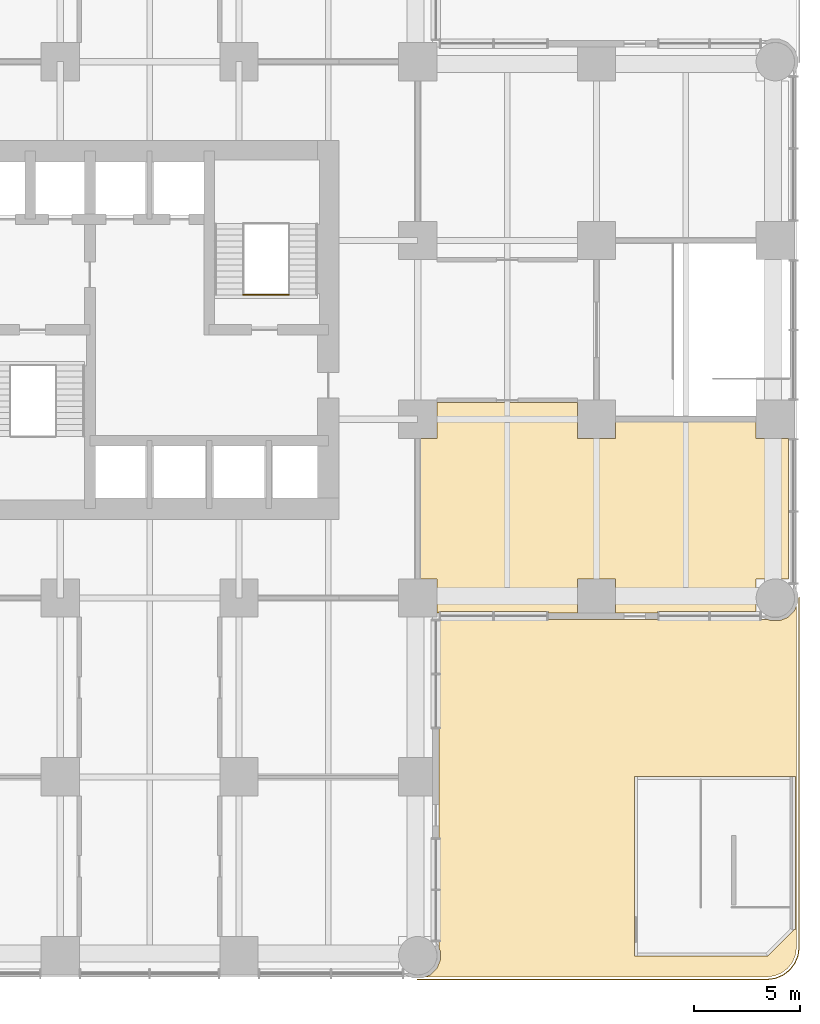
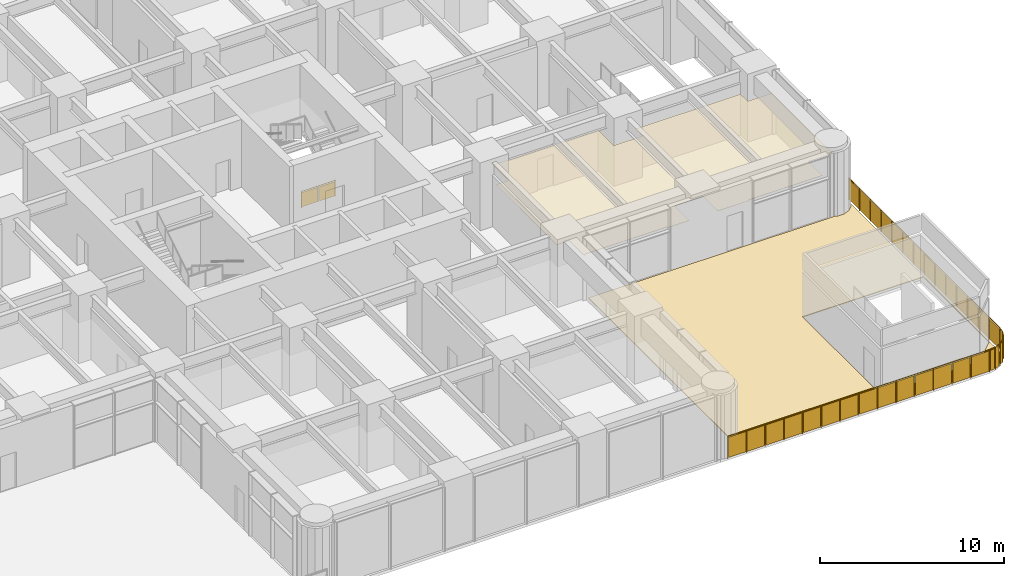
# One storey, part 16 of 21: 2 coverings, 2 railings.
"""IFC4 building model written with IfcOpenShell, lengths in metres."""

from ifc_helpers import new_model, si_unit, direction, frame, origin, origin_2d, place, context, subcontext, project, spatial, polyline, circle, outline, extrude, material, layer, layer_set, constituent, constituent_set, type_object, element, save


model = new_model("IFC4")

# Units and contexts
model_context = context("Model", 3, precision=1e-05, world=origin(), true_north=direction((0.0, 1.0)))
body_context = subcontext(model_context, "Body", "Model", "MODEL_VIEW")
ifc_project = project(units=[si_unit("LENGTHUNIT", "METRE"), si_unit("AREAUNIT", "SQUARE_METRE"), si_unit("VOLUMEUNIT", "CUBIC_METRE"), si_unit("PLANEANGLEUNIT", "RADIAN"), si_unit("MASSUNIT", "GRAM", prefix="KILO")], contexts=[model_context])

# Site, building, storey
site_placement = place(None, origin())
site = spatial("IfcSite", under=ifc_project, at=site_placement, CompositionType="ELEMENT")
building_placement = place(site_placement, origin())
building = spatial("IfcBuilding", under=site, at=building_placement, Name="Torre Alcanfor", CompositionType="ELEMENT")
storey_placement = place(building_placement, frame((0.0, 0.0, 24.0)))
storey = spatial("IfcBuildingStorey", under=building, at=storey_placement, Name="L05", CompositionType="ELEMENT", Elevation=24.0)

# Covering
ifc_material_1 = material(Name="Mineral fibre acoustic tile 20 mm, NRC 0.70, on exposed suspension grid", Category="mineral fibre")
ifc_layer_1 = layer(ifc_material_1, 0.02001953125)
ifc_layer_set_1 = layer_set([ifc_layer_1], Name="Acoustic suspended ceiling 600x600 mineral fibre tile")
covering_type_1 = type_object("IfcCoveringType", Name="Acoustic suspended ceiling 600x600 mineral fibre tile", PredefinedType="CEILING", material=ifc_layer_set_1)
covering_1_placement = place(storey_placement, frame((0.0, 0.0, 2.699951171875)))
element("IfcCovering", 1, at=covering_1_placement, inside=storey, type_object=covering_type_1, Name="Ceiling L05-06", PredefinedType="CEILING", context=body_context, shape_type="SweptSolid", body=[
    extrude(outline(polyline([(48.13330078125, 16.10009765625), (49.5, 16.10009765625), (49.5, 17.699951171875), (51.300048828125, 17.699951171875), (51.300048828125, 16.10009765625), (53.2666015625, 16.10009765625), (53.2666015625, 16.175048828125), (57.89990234375, 16.175048828125), (57.89990234375, 17.699951171875), (59.425048828125, 17.699951171875), (59.425048828125, 24.300048828125), (57.89990234375, 24.300048828125), (57.89990234375, 25.074951171875), (51.300048828125, 25.074951171875), (51.300048828125, 24.300048828125), (49.5, 24.300048828125), (49.5, 26.0), (42.89990234375, 26.0), (42.89990234375, 24.300048828125), (42.10009765625, 24.300048828125), (42.10009765625, 17.699951171875), (42.89990234375, 17.699951171875), (42.89990234375, 16.10009765625), (43.0, 16.10009765625), (43.0, 16.175048828125), (48.13330078125, 16.175048828125), (48.13330078125, 16.10009765625)])), origin(), (0.0, 0.0, 1.0), 0.02001953125),
])

# Railing
ifc_material_2 = material(Name="Steel ASTM A500 Grade C hollow sections, hot-dip galvanised ASTM A123", Category="steel")
ifc_constituent_1 = constituent(ifc_material_2, Name="Posts and rails")
ifc_material_3 = material(Name="Laminated safety glass", Category="glass")
ifc_constituent_2 = constituent(ifc_material_3, Name="Infill")
ifc_constituent_set = constituent_set(constituents=[ifc_constituent_1, ifc_constituent_2], Name="Play deck guard 1500")
railing_type_1 = type_object("IfcRailingType", Name="Play deck guard 1500", PredefinedType="BALUSTRADE", material=ifc_constituent_set)
railing_1_placement = place(storey_placement, frame((41.977294921875, -1.1201171875, 0.0)))
element("IfcRailing", 2, at=railing_1_placement, inside=storey, type_object=railing_type_1, Name="Play deck guard L05 2", PredefinedType="BALUSTRADE", context=body_context, shape_type="SweptSolid", body=[
    extrude(circle(Radius=0.02392578125, at=origin_2d()), frame((0.0, 0.0, 1.47607421875), z_axis=(1.0, 0.0, 0.0), x_axis=(0.0, 1.0, 0.0)), (0.0, 0.0, 1.0), 16.422607421875),
    extrude(circle(Radius=0.02392578125, at=origin_2d()), frame((16.422607421875, 0.0, 1.47607421875), z_axis=(0.997054485502, 0.076696498885, 0.0), x_axis=(-0.076696498885, 0.997054485502, 0.0)), (0.0, 0.0, 1.0), 0.015869140625),
    extrude(circle(Radius=0.02392578125, at=origin_2d()), frame((16.4384765625, 0.001220703125, 1.47607421875), z_axis=(0.99147702082, 0.130281684003, 0.0), x_axis=(-0.130281684003, 0.99147702082, 0.0)), (0.0, 0.0, 1.0), 0.365478515625),
    extrude(circle(Radius=0.02392578125, at=origin_2d()), frame((16.80078125, 0.048828125, 1.47607421875), z_axis=(0.982338566422, 0.18711210789, 0.0), x_axis=(-0.18711210789, 0.982338566422, 0.0)), (0.0, 0.0, 1.0), 0.010498046875),
    extrude(circle(Radius=0.02392578125, at=origin_2d()), frame((16.81103515625, 0.05078125, 1.47607421875), z_axis=(0.965842837235, 0.259128566087, 0.0), x_axis=(-0.259128566087, 0.965842837235, 0.0)), (0.0, 0.0, 1.0), 0.01025390625),
    extrude(circle(Radius=0.02392578125, at=origin_2d()), frame((16.821044921875, 0.053466796875, 1.47607421875), z_axis=(0.946349856068, 0.323143853292, 0.0), x_axis=(-0.323143853292, 0.946349856068, 0.0)), (0.0, 0.0, 1.0), 0.010498046875),
    extrude(circle(Radius=0.02392578125, at=origin_2d()), frame((16.8310546875, 0.056884765625, 1.47607421875), z_axis=(0.923845840288, 0.382764762462, 0.0), x_axis=(-0.382764762462, 0.923845840288, 0.0)), (0.0, 0.0, 1.0), 0.365478515625),
    extrude(circle(Radius=0.02392578125, at=origin_2d()), frame((17.168701171875, 0.19677734375, 1.47607421875), z_axis=(0.9079593845, 0.419058177462, 0.0), x_axis=(-0.419058177462, 0.9079593845, 0.0)), (0.0, 0.0, 1.0), 0.010498046875),
    extrude(circle(Radius=0.02392578125, at=origin_2d()), frame((17.17822265625, 0.201171875, 1.47607421875), z_axis=(0.859535888021, 0.511075392877, 0.0), x_axis=(-0.511075392877, 0.859535888021, 0.0)), (0.0, 0.0, 1.0), 0.010498046875),
    extrude(circle(Radius=0.02392578125, at=origin_2d()), frame((17.187255859375, 0.20654296875, 1.47607421875), z_axis=(0.824728851846, 0.565528355552, 0.0), x_axis=(-0.565528355552, 0.824728851846, 0.0)), (0.0, 0.0, 1.0), 0.01025390625),
    extrude(circle(Radius=0.02392578125, at=origin_2d()), frame((17.19580078125, 0.21240234375, 1.47607421875), z_axis=(0.792971542579, 0.609258674669, 0.0), x_axis=(-0.609258674669, 0.792971542579, 0.0)), (0.0, 0.0, 1.0), 0.365478515625),
    extrude(circle(Radius=0.02392578125, at=origin_2d()), frame((17.485595703125, 0.43505859375, 1.47607421875), z_axis=(0.773957299203, 0.633237790257, 0.0), x_axis=(-0.633237790257, 0.773957299203, 0.0)), (0.0, 0.0, 1.0), 0.010498046875),
    extrude(circle(Radius=0.02392578125, at=origin_2d()), frame((17.49365234375, 0.441650390625, 1.47607421875), z_axis=(0.695421427516, 0.718602141767, 0.0), x_axis=(-0.718602141767, 0.695421427516, 0.0)), (0.0, 0.0, 1.0), 0.010498046875),
    extrude(circle(Radius=0.02392578125, at=origin_2d()), frame((17.5009765625, 0.44921875, 1.47607421875), z_axis=(0.646977448195, 0.762509135373, 0.0), x_axis=(-0.762509135373, 0.646977448195, 0.0)), (0.0, 0.0, 1.0), 0.010498046875),
    extrude(circle(Radius=0.02392578125, at=origin_2d()), frame((17.5078125, 0.457275390625, 1.47607421875), z_axis=(0.608838347721, 0.793294312563, 0.0), x_axis=(-0.793294312563, 0.608838347721, 0.0)), (0.0, 0.0, 1.0), 0.365234375),
    extrude(circle(Radius=0.02392578125, at=origin_2d()), frame((17.730224609375, 0.7470703125, 1.47607421875), z_axis=(0.581238193719, 0.813733471207, 0.0), x_axis=(-0.813733471207, 0.581238193719, 0.0)), (0.0, 0.0, 1.0), 0.010498046875),
    extrude(circle(Radius=0.02392578125, at=origin_2d()), frame((17.736328125, 0.755615234375, 1.47607421875), z_axis=(0.493605519458, 0.869685915236, 0.0), x_axis=(-0.869685915236, 0.493605519458, 0.0)), (0.0, 0.0, 1.0), 0.010498046875),
    extrude(circle(Radius=0.02392578125, at=origin_2d()), frame((17.741455078125, 0.7646484375, 1.47607421875), z_axis=(0.419058177462, 0.9079593845, 0.0), x_axis=(-0.9079593845, 0.419058177462, 0.0)), (0.0, 0.0, 1.0), 0.010498046875),
    extrude(circle(Radius=0.02392578125, at=origin_2d()), frame((17.745849609375, 0.774169921875, 1.47607421875), z_axis=(0.383334676979, 0.923609509168, 0.0), x_axis=(-0.923609509168, 0.383334676979, 0.0)), (0.0, 0.0, 1.0), 0.365478515625),
    extrude(circle(Radius=0.02392578125, at=origin_2d()), frame((17.885986328125, 1.11181640625, 1.47607421875), z_axis=(0.323143853292, 0.946349856068, 0.0), x_axis=(-0.946349856068, 0.323143853292, 0.0)), (0.0, 0.0, 1.0), 0.010498046875),
    extrude(circle(Radius=0.02392578125, at=origin_2d()), frame((17.889404296875, 1.121826171875, 1.47607421875), z_axis=(0.259128566087, 0.965842837235, 0.0), x_axis=(-0.965842837235, 0.259128566087, 0.0)), (0.0, 0.0, 1.0), 0.01025390625),
    extrude(circle(Radius=0.02392578125, at=origin_2d()), frame((17.89208984375, 1.1318359375, 1.47607421875), z_axis=(0.18711210789, 0.982338566422, 0.0), x_axis=(-0.982338566422, 0.18711210789, 0.0)), (0.0, 0.0, 1.0), 0.010498046875),
    extrude(circle(Radius=0.02392578125, at=origin_2d()), frame((17.89404296875, 1.14208984375, 1.47607421875), z_axis=(0.130281684003, 0.99147702082, 0.0), x_axis=(-0.99147702082, 0.130281684003, 0.0)), (0.0, 0.0, 1.0), 0.365478515625),
    extrude(circle(Radius=0.02392578125, at=origin_2d()), frame((17.941650390625, 1.50439453125, 1.47607421875), z_axis=(0.062378286155, 0.998052578483, 0.0), x_axis=(-0.998052578483, 0.062378286155, 0.0)), (0.0, 0.0, 1.0), 0.015625),
    extrude(circle(Radius=0.02392578125, at=origin_2d()), frame((17.942626953125, 1.52001953125, 1.47607421875), z_axis=(0.0, 1.0, 0.0), x_axis=(-1.0, 0.0, 0.0)), (0.0, 0.0, 1.0), 16.4228515625),
    extrude(circle(Radius=0.02099609375, at=origin_2d()), origin(), (0.0, 0.0, 1.0), 1.451904296875),
    extrude(circle(Radius=0.02099609375, at=origin_2d()), frame((1.173095703125, 0.0, 0.0)), (0.0, 0.0, 1.0), 1.451904296875),
    extrude(circle(Radius=0.02099609375, at=origin_2d()), frame((2.34619140625, 0.0, 0.0)), (0.0, 0.0, 1.0), 1.451904296875),
    extrude(circle(Radius=0.02099609375, at=origin_2d()), frame((3.51904296875, 0.0, 0.0)), (0.0, 0.0, 1.0), 1.451904296875),
    extrude(circle(Radius=0.02099609375, at=origin_2d()), frame((4.692138671875, 0.0, 0.0)), (0.0, 0.0, 1.0), 1.451904296875),
    extrude(circle(Radius=0.02099609375, at=origin_2d()), frame((5.865234375, 0.0, 0.0)), (0.0, 0.0, 1.0), 1.451904296875),
    extrude(circle(Radius=0.02099609375, at=origin_2d()), frame((7.038330078125, 0.0, 0.0)), (0.0, 0.0, 1.0), 1.451904296875),
    extrude(circle(Radius=0.02099609375, at=origin_2d()), frame((8.21142578125, 0.0, 0.0)), (0.0, 0.0, 1.0), 1.451904296875),
    extrude(circle(Radius=0.02099609375, at=origin_2d()), frame((9.38427734375, 0.0, 0.0)), (0.0, 0.0, 1.0), 1.451904296875),
    extrude(circle(Radius=0.02099609375, at=origin_2d()), frame((10.557373046875, 0.0, 0.0)), (0.0, 0.0, 1.0), 1.451904296875),
    extrude(circle(Radius=0.02099609375, at=origin_2d()), frame((11.73046875, 0.0, 0.0)), (0.0, 0.0, 1.0), 1.451904296875),
    extrude(circle(Radius=0.02099609375, at=origin_2d()), frame((12.903564453125, 0.0, 0.0)), (0.0, 0.0, 1.0), 1.451904296875),
    extrude(circle(Radius=0.02099609375, at=origin_2d()), frame((14.076416015625, 0.0, 0.0)), (0.0, 0.0, 1.0), 1.451904296875),
    extrude(circle(Radius=0.02099609375, at=origin_2d()), frame((15.24951171875, 0.0, 0.0)), (0.0, 0.0, 1.0), 1.451904296875),
    extrude(circle(Radius=0.02099609375, at=origin_2d()), frame((16.422607421875, 0.0, 0.0)), (0.0, 0.0, 1.0), 1.451904296875),
    extrude(circle(Radius=0.02099609375, at=origin_2d()), frame((16.4384765625, 0.001220703125, 0.0)), (0.0, 0.0, 1.0), 1.451904296875),
    extrude(circle(Radius=0.02099609375, at=origin_2d()), frame((16.80078125, 0.048828125, 0.0)), (0.0, 0.0, 1.0), 1.451904296875),
    extrude(circle(Radius=0.02099609375, at=origin_2d()), frame((16.81103515625, 0.05078125, 0.0)), (0.0, 0.0, 1.0), 1.451904296875),
    extrude(circle(Radius=0.02099609375, at=origin_2d()), frame((16.821044921875, 0.053466796875, 0.0)), (0.0, 0.0, 1.0), 1.451904296875),
    extrude(circle(Radius=0.02099609375, at=origin_2d()), frame((16.8310546875, 0.056884765625, 0.0)), (0.0, 0.0, 1.0), 1.451904296875),
    extrude(circle(Radius=0.02099609375, at=origin_2d()), frame((17.168701171875, 0.19677734375, 0.0)), (0.0, 0.0, 1.0), 1.451904296875),
    extrude(circle(Radius=0.02099609375, at=origin_2d()), frame((17.17822265625, 0.201171875, 0.0)), (0.0, 0.0, 1.0), 1.451904296875),
    extrude(circle(Radius=0.02099609375, at=origin_2d()), frame((17.187255859375, 0.20654296875, 0.0)), (0.0, 0.0, 1.0), 1.451904296875),
    extrude(circle(Radius=0.02099609375, at=origin_2d()), frame((17.19580078125, 0.21240234375, 0.0)), (0.0, 0.0, 1.0), 1.451904296875),
    extrude(circle(Radius=0.02099609375, at=origin_2d()), frame((17.485595703125, 0.43505859375, 0.0)), (0.0, 0.0, 1.0), 1.451904296875),
    extrude(circle(Radius=0.02099609375, at=origin_2d()), frame((17.49365234375, 0.441650390625, 0.0)), (0.0, 0.0, 1.0), 1.451904296875),
    extrude(circle(Radius=0.02099609375, at=origin_2d()), frame((17.5009765625, 0.44921875, 0.0)), (0.0, 0.0, 1.0), 1.451904296875),
    extrude(circle(Radius=0.02099609375, at=origin_2d()), frame((17.5078125, 0.457275390625, 0.0)), (0.0, 0.0, 1.0), 1.451904296875),
    extrude(circle(Radius=0.02099609375, at=origin_2d()), frame((17.730224609375, 0.7470703125, 0.0)), (0.0, 0.0, 1.0), 1.451904296875),
    extrude(circle(Radius=0.02099609375, at=origin_2d()), frame((17.736328125, 0.755615234375, 0.0)), (0.0, 0.0, 1.0), 1.451904296875),
    extrude(circle(Radius=0.02099609375, at=origin_2d()), frame((17.741455078125, 0.7646484375, 0.0)), (0.0, 0.0, 1.0), 1.451904296875),
    extrude(circle(Radius=0.02099609375, at=origin_2d()), frame((17.745849609375, 0.774169921875, 0.0)), (0.0, 0.0, 1.0), 1.451904296875),
    extrude(circle(Radius=0.02099609375, at=origin_2d()), frame((17.885986328125, 1.11181640625, 0.0)), (0.0, 0.0, 1.0), 1.451904296875),
    extrude(circle(Radius=0.02099609375, at=origin_2d()), frame((17.889404296875, 1.121826171875, 0.0)), (0.0, 0.0, 1.0), 1.451904296875),
    extrude(circle(Radius=0.02099609375, at=origin_2d()), frame((17.89208984375, 1.1318359375, 0.0)), (0.0, 0.0, 1.0), 1.451904296875),
    extrude(circle(Radius=0.02099609375, at=origin_2d()), frame((17.89404296875, 1.14208984375, 0.0)), (0.0, 0.0, 1.0), 1.451904296875),
    extrude(circle(Radius=0.02099609375, at=origin_2d()), frame((17.941650390625, 1.50439453125, 0.0)), (0.0, 0.0, 1.0), 1.451904296875),
    extrude(circle(Radius=0.02099609375, at=origin_2d()), frame((17.942626953125, 1.52001953125, 0.0)), (0.0, 0.0, 1.0), 1.451904296875),
    extrude(circle(Radius=0.02099609375, at=origin_2d()), frame((17.942626953125, 2.693115234375, 0.0)), (0.0, 0.0, 1.0), 1.451904296875),
    extrude(circle(Radius=0.02099609375, at=origin_2d()), frame((17.942626953125, 3.8662109375, 0.0)), (0.0, 0.0, 1.0), 1.451904296875),
    extrude(circle(Radius=0.02099609375, at=origin_2d()), frame((17.942626953125, 5.039306640625, 0.0)), (0.0, 0.0, 1.0), 1.451904296875),
    extrude(circle(Radius=0.02099609375, at=origin_2d()), frame((17.942626953125, 6.212158203125, 0.0)), (0.0, 0.0, 1.0), 1.451904296875),
    extrude(circle(Radius=0.02099609375, at=origin_2d()), frame((17.942626953125, 7.38525390625, 0.0)), (0.0, 0.0, 1.0), 1.451904296875),
    extrude(circle(Radius=0.02099609375, at=origin_2d()), frame((17.942626953125, 8.558349609375, 0.0)), (0.0, 0.0, 1.0), 1.451904296875),
    extrude(circle(Radius=0.02099609375, at=origin_2d()), frame((17.942626953125, 9.7314453125, 0.0)), (0.0, 0.0, 1.0), 1.451904296875),
    extrude(circle(Radius=0.02099609375, at=origin_2d()), frame((17.942626953125, 10.904541015625, 0.0)), (0.0, 0.0, 1.0), 1.451904296875),
    extrude(circle(Radius=0.02099609375, at=origin_2d()), frame((17.942626953125, 12.07763671875, 0.0)), (0.0, 0.0, 1.0), 1.451904296875),
    extrude(circle(Radius=0.02099609375, at=origin_2d()), frame((17.942626953125, 13.250732421875, 0.0)), (0.0, 0.0, 1.0), 1.451904296875),
    extrude(circle(Radius=0.02099609375, at=origin_2d()), frame((17.942626953125, 14.423583984375, 0.0)), (0.0, 0.0, 1.0), 1.451904296875),
    extrude(circle(Radius=0.02099609375, at=origin_2d()), frame((17.942626953125, 15.5966796875, 0.0)), (0.0, 0.0, 1.0), 1.451904296875),
    extrude(circle(Radius=0.02099609375, at=origin_2d()), frame((17.942626953125, 16.769775390625, 0.0)), (0.0, 0.0, 1.0), 1.451904296875),
    extrude(circle(Radius=0.02099609375, at=origin_2d()), frame((17.942626953125, 17.94287109375, 0.0)), (0.0, 0.0, 1.0), 1.451904296875),
    extrude(outline(polyline([(0.041015625, 0.050048828125), (1.132080078125, 0.050048828125), (1.132080078125, 1.402099609375), (0.041015625, 1.402099609375), (0.041015625, 0.050048828125)])), frame((0.0, 0.001953125, 0.0), z_axis=(0.0, -1.0, 0.0), x_axis=(1.0, 0.0, 0.0)), (0.0, 0.0, 1.0), 0.00390625),
    extrude(outline(polyline([(1.214111328125, 0.050048828125), (2.30517578125, 0.050048828125), (2.30517578125, 1.402099609375), (1.214111328125, 1.402099609375), (1.214111328125, 0.050048828125)])), frame((0.0, 0.001953125, 0.0), z_axis=(0.0, -1.0, 0.0), x_axis=(1.0, 0.0, 0.0)), (0.0, 0.0, 1.0), 0.00390625),
    extrude(outline(polyline([(2.38720703125, 0.050048828125), (3.47802734375, 0.050048828125), (3.47802734375, 1.402099609375), (2.38720703125, 1.402099609375), (2.38720703125, 0.050048828125)])), frame((0.0, 0.001953125, 0.0), z_axis=(0.0, -1.0, 0.0), x_axis=(1.0, 0.0, 0.0)), (0.0, 0.0, 1.0), 0.00390625),
    extrude(outline(polyline([(3.56005859375, 0.050048828125), (4.651123046875, 0.050048828125), (4.651123046875, 1.402099609375), (3.56005859375, 1.402099609375), (3.56005859375, 0.050048828125)])), frame((0.0, 0.001953125, 0.0), z_axis=(0.0, -1.0, 0.0), x_axis=(1.0, 0.0, 0.0)), (0.0, 0.0, 1.0), 0.00390625),
    extrude(outline(polyline([(4.733154296875, 0.050048828125), (5.82421875, 0.050048828125), (5.82421875, 1.402099609375), (4.733154296875, 1.402099609375), (4.733154296875, 0.050048828125)])), frame((0.0, 0.001953125, 0.0), z_axis=(0.0, -1.0, 0.0), x_axis=(1.0, 0.0, 0.0)), (0.0, 0.0, 1.0), 0.00390625),
    extrude(outline(polyline([(5.90625, 0.050048828125), (6.997314453125, 0.050048828125), (6.997314453125, 1.402099609375), (5.90625, 1.402099609375), (5.90625, 0.050048828125)])), frame((0.0, 0.001953125, 0.0), z_axis=(0.0, -1.0, 0.0), x_axis=(1.0, 0.0, 0.0)), (0.0, 0.0, 1.0), 0.00390625),
    extrude(outline(polyline([(7.079345703125, 0.050048828125), (8.17041015625, 0.050048828125), (8.17041015625, 1.402099609375), (7.079345703125, 1.402099609375), (7.079345703125, 0.050048828125)])), frame((0.0, 0.001953125, 0.0), z_axis=(0.0, -1.0, 0.0), x_axis=(1.0, 0.0, 0.0)), (0.0, 0.0, 1.0), 0.00390625),
    extrude(outline(polyline([(8.252197265625, 0.050048828125), (9.34326171875, 0.050048828125), (9.34326171875, 1.402099609375), (8.252197265625, 1.402099609375), (8.252197265625, 0.050048828125)])), frame((0.0, 0.001953125, 0.0), z_axis=(0.0, -1.0, 0.0), x_axis=(1.0, 0.0, 0.0)), (0.0, 0.0, 1.0), 0.00390625),
    extrude(outline(polyline([(9.42529296875, 0.050048828125), (10.516357421875, 0.050048828125), (10.516357421875, 1.402099609375), (9.42529296875, 1.402099609375), (9.42529296875, 0.050048828125)])), frame((0.0, 0.001953125, 0.0), z_axis=(0.0, -1.0, 0.0), x_axis=(1.0, 0.0, 0.0)), (0.0, 0.0, 1.0), 0.00390625),
    extrude(outline(polyline([(10.598388671875, 0.050048828125), (11.689453125, 0.050048828125), (11.689453125, 1.402099609375), (10.598388671875, 1.402099609375), (10.598388671875, 0.050048828125)])), frame((0.0, 0.001953125, 0.0), z_axis=(0.0, -1.0, 0.0), x_axis=(1.0, 0.0, 0.0)), (0.0, 0.0, 1.0), 0.00390625),
    extrude(outline(polyline([(11.771484375, 0.050048828125), (12.862548828125, 0.050048828125), (12.862548828125, 1.402099609375), (11.771484375, 1.402099609375), (11.771484375, 0.050048828125)])), frame((0.0, 0.001953125, 0.0), z_axis=(0.0, -1.0, 0.0), x_axis=(1.0, 0.0, 0.0)), (0.0, 0.0, 1.0), 0.00390625),
    extrude(outline(polyline([(12.944580078125, 0.050048828125), (14.035400390625, 0.050048828125), (14.035400390625, 1.402099609375), (12.944580078125, 1.402099609375), (12.944580078125, 0.050048828125)])), frame((0.0, 0.001953125, 0.0), z_axis=(0.0, -1.0, 0.0), x_axis=(1.0, 0.0, 0.0)), (0.0, 0.0, 1.0), 0.00390625),
    extrude(outline(polyline([(14.117431640625, 0.050048828125), (15.20849609375, 0.050048828125), (15.20849609375, 1.402099609375), (14.117431640625, 1.402099609375), (14.117431640625, 0.050048828125)])), frame((0.0, 0.001953125, 0.0), z_axis=(0.0, -1.0, 0.0), x_axis=(1.0, 0.0, 0.0)), (0.0, 0.0, 1.0), 0.00390625),
    extrude(outline(polyline([(15.29052734375, 0.050048828125), (16.381591796875, 0.050048828125), (16.381591796875, 1.402099609375), (15.29052734375, 1.402099609375), (15.29052734375, 0.050048828125)])), frame((0.0, 0.001953125, 0.0), z_axis=(0.0, -1.0, 0.0), x_axis=(1.0, 0.0, 0.0)), (0.0, 0.0, 1.0), 0.00390625),
    extrude(outline(polyline([(0.041015625, 0.050048828125), (0.324462890625, 0.050048828125), (0.324462890625, 1.402099609375), (0.041015625, 1.402099609375), (0.041015625, 0.050048828125)])), frame((16.438232421875, 0.003173828125, 0.0), z_axis=(0.130281684003, -0.99147702082, 0.0), x_axis=(0.99147702082, 0.130281684003, 0.0)), (0.0, 0.0, 1.0), 0.00390625),
    extrude(outline(polyline([(0.041015625, 0.050048828125), (0.324462890625, 0.050048828125), (0.324462890625, 1.402099609375), (0.041015625, 1.402099609375), (0.041015625, 0.050048828125)])), frame((16.830322265625, 0.05859375, 0.0), z_axis=(0.382764762462, -0.923845840288, 0.0), x_axis=(0.923845840288, 0.382764762462, 0.0)), (0.0, 0.0, 1.0), 0.00390625),
    extrude(outline(polyline([(0.041015625, 0.050048828125), (0.324462890625, 0.050048828125), (0.324462890625, 1.402099609375), (0.041015625, 1.402099609375), (0.041015625, 0.050048828125)])), frame((17.194580078125, 0.2138671875, 0.0), z_axis=(0.609258674669, -0.792971542579, 0.0), x_axis=(0.792971542579, 0.609258674669, 0.0)), (0.0, 0.0, 1.0), 0.00390625),
    extrude(outline(polyline([(0.041015625, 0.050048828125), (0.32421875, 0.050048828125), (0.32421875, 1.402099609375), (0.041015625, 1.402099609375), (0.041015625, 0.050048828125)])), frame((17.50634765625, 0.45849609375, 0.0), z_axis=(0.793294312563, -0.608838347721, 0.0), x_axis=(0.608838347721, 0.793294312563, 0.0)), (0.0, 0.0, 1.0), 0.00390625),
    extrude(outline(polyline([(0.041015625, 0.050048828125), (0.324462890625, 0.050048828125), (0.324462890625, 1.402099609375), (0.041015625, 1.402099609375), (0.041015625, 0.050048828125)])), frame((17.744140625, 0.77490234375, 0.0), z_axis=(0.923609509168, -0.383334676979, 0.0), x_axis=(0.383334676979, 0.923609509168, 0.0)), (0.0, 0.0, 1.0), 0.00390625),
    extrude(outline(polyline([(0.041015625, 0.050048828125), (0.324462890625, 0.050048828125), (0.324462890625, 1.402099609375), (0.041015625, 1.402099609375), (0.041015625, 0.050048828125)])), frame((17.89208984375, 1.142333984375, 0.0), z_axis=(0.99147702082, -0.130281684003, 0.0), x_axis=(0.130281684003, 0.99147702082, 0.0)), (0.0, 0.0, 1.0), 0.00390625),
    extrude(outline(polyline([(0.041015625, 0.050048828125), (1.132080078125, 0.050048828125), (1.132080078125, 1.402099609375), (0.041015625, 1.402099609375), (0.041015625, 0.050048828125)])), frame((17.940673828125, 1.52001953125, 0.0), z_axis=(1.0, 0.0, 0.0), x_axis=(0.0, 1.0, 0.0)), (0.0, 0.0, 1.0), 0.00390625),
    extrude(outline(polyline([(1.214111328125, 0.050048828125), (2.30517578125, 0.050048828125), (2.30517578125, 1.402099609375), (1.214111328125, 1.402099609375), (1.214111328125, 0.050048828125)])), frame((17.940673828125, 1.52001953125, 0.0), z_axis=(1.0, 0.0, 0.0), x_axis=(0.0, 1.0, 0.0)), (0.0, 0.0, 1.0), 0.00390625),
    extrude(outline(polyline([(2.38720703125, 0.050048828125), (3.478271484375, 0.050048828125), (3.478271484375, 1.402099609375), (2.38720703125, 1.402099609375), (2.38720703125, 0.050048828125)])), frame((17.940673828125, 1.52001953125, 0.0), z_axis=(1.0, 0.0, 0.0), x_axis=(0.0, 1.0, 0.0)), (0.0, 0.0, 1.0), 0.00390625),
    extrude(outline(polyline([(3.560302734375, 0.050048828125), (4.651123046875, 0.050048828125), (4.651123046875, 1.402099609375), (3.560302734375, 1.402099609375), (3.560302734375, 0.050048828125)])), frame((17.940673828125, 1.52001953125, 0.0), z_axis=(1.0, 0.0, 0.0), x_axis=(0.0, 1.0, 0.0)), (0.0, 0.0, 1.0), 0.00390625),
    extrude(outline(polyline([(4.733154296875, 0.050048828125), (5.82421875, 0.050048828125), (5.82421875, 1.402099609375), (4.733154296875, 1.402099609375), (4.733154296875, 0.050048828125)])), frame((17.940673828125, 1.52001953125, 0.0), z_axis=(1.0, 0.0, 0.0), x_axis=(0.0, 1.0, 0.0)), (0.0, 0.0, 1.0), 0.00390625),
    extrude(outline(polyline([(5.90625, 0.050048828125), (6.997314453125, 0.050048828125), (6.997314453125, 1.402099609375), (5.90625, 1.402099609375), (5.90625, 0.050048828125)])), frame((17.940673828125, 1.52001953125, 0.0), z_axis=(1.0, 0.0, 0.0), x_axis=(0.0, 1.0, 0.0)), (0.0, 0.0, 1.0), 0.00390625),
    extrude(outline(polyline([(7.079345703125, 0.050048828125), (8.17041015625, 0.050048828125), (8.17041015625, 1.402099609375), (7.079345703125, 1.402099609375), (7.079345703125, 0.050048828125)])), frame((17.940673828125, 1.52001953125, 0.0), z_axis=(1.0, 0.0, 0.0), x_axis=(0.0, 1.0, 0.0)), (0.0, 0.0, 1.0), 0.00390625),
    extrude(outline(polyline([(8.25244140625, 0.050048828125), (9.343505859375, 0.050048828125), (9.343505859375, 1.402099609375), (8.25244140625, 1.402099609375), (8.25244140625, 0.050048828125)])), frame((17.940673828125, 1.52001953125, 0.0), z_axis=(1.0, 0.0, 0.0), x_axis=(0.0, 1.0, 0.0)), (0.0, 0.0, 1.0), 0.00390625),
    extrude(outline(polyline([(9.425537109375, 0.050048828125), (10.5166015625, 0.050048828125), (10.5166015625, 1.402099609375), (9.425537109375, 1.402099609375), (9.425537109375, 0.050048828125)])), frame((17.940673828125, 1.52001953125, 0.0), z_axis=(1.0, 0.0, 0.0), x_axis=(0.0, 1.0, 0.0)), (0.0, 0.0, 1.0), 0.00390625),
    extrude(outline(polyline([(10.5986328125, 0.050048828125), (11.689697265625, 0.050048828125), (11.689697265625, 1.402099609375), (10.5986328125, 1.402099609375), (10.5986328125, 0.050048828125)])), frame((17.940673828125, 1.52001953125, 0.0), z_axis=(1.0, 0.0, 0.0), x_axis=(0.0, 1.0, 0.0)), (0.0, 0.0, 1.0), 0.00390625),
    extrude(outline(polyline([(11.771728515625, 0.050048828125), (12.862548828125, 0.050048828125), (12.862548828125, 1.402099609375), (11.771728515625, 1.402099609375), (11.771728515625, 0.050048828125)])), frame((17.940673828125, 1.52001953125, 0.0), z_axis=(1.0, 0.0, 0.0), x_axis=(0.0, 1.0, 0.0)), (0.0, 0.0, 1.0), 0.00390625),
    extrude(outline(polyline([(12.944580078125, 0.050048828125), (14.03564453125, 0.050048828125), (14.03564453125, 1.402099609375), (12.944580078125, 1.402099609375), (12.944580078125, 0.050048828125)])), frame((17.940673828125, 1.52001953125, 0.0), z_axis=(1.0, 0.0, 0.0), x_axis=(0.0, 1.0, 0.0)), (0.0, 0.0, 1.0), 0.00390625),
    extrude(outline(polyline([(14.11767578125, 0.050048828125), (15.208740234375, 0.050048828125), (15.208740234375, 1.402099609375), (14.11767578125, 1.402099609375), (14.11767578125, 0.050048828125)])), frame((17.940673828125, 1.52001953125, 0.0), z_axis=(1.0, 0.0, 0.0), x_axis=(0.0, 1.0, 0.0)), (0.0, 0.0, 1.0), 0.00390625),
    extrude(outline(polyline([(15.290771484375, 0.050048828125), (16.3818359375, 0.050048828125), (16.3818359375, 1.402099609375), (15.290771484375, 1.402099609375), (15.290771484375, 0.050048828125)])), frame((17.940673828125, 1.52001953125, 0.0), z_axis=(1.0, 0.0, 0.0), x_axis=(0.0, 1.0, 0.0)), (0.0, 0.0, 1.0), 0.00390625),
])

# Covering
ifc_material_4 = material(Name="Rubber safety surfacing on screed", Category="masonry")
ifc_layer_2 = layer(ifc_material_4, 0.050048828125)
ifc_layer_set_2 = layer_set([ifc_layer_2], Name="Play deck rubber surface 50")
covering_type_2 = type_object("IfcCoveringType", Name="Play deck rubber surface 50", PredefinedType="FLOORING", material=ifc_layer_set_2)
covering_2_placement = place(storey_placement, origin())
element("IfcCovering", 3, at=covering_2_placement, inside=storey, type_object=covering_type_2, Name="Play deck surface L05 2", PredefinedType="FLOORING", context=body_context, shape_type="SweptSolid", body=[
    extrude(outline(polyline([(43.0, 15.800048828125), (58.39990234375, 15.800048828125), (58.43359375, 15.804443359375), (58.589111328125, 15.739990234375), (59.0107421875, 15.739990234375), (59.400390625, 15.9013671875), (59.698486328125, 16.19970703125), (59.800048828125, 16.4443359375), (59.800048828125, 0.39990234375), (59.752197265625, 0.03759765625), (59.6123046875, -0.300048828125), (59.389892578125, -0.58984375), (59.10009765625, -0.8125), (58.76220703125, -0.952392578125), (58.39990234375, -1.0), (42.355712890625, -1.0), (42.600341796875, -0.898681640625), (42.898681640625, -0.600341796875), (43.06005859375, -0.210693359375), (43.06005859375, 0.210693359375), (42.99560546875, 0.366455078125), (43.0, 0.39990234375), (43.0, 15.800048828125)]), holes=[polyline([(59.5, 8.425048828125), (52.175048828125, 8.425048828125), (52.175048828125, -0.02490234375), (58.43115234375, -0.02490234375), (59.64990234375, 1.19384765625), (59.64990234375, 1.22509765625), (59.75, 1.22509765625), (59.75, 8.425048828125), (59.5, 8.425048828125)])]), origin(), (0.0, 0.0, 1.0), 0.050048828125),
])

# Railing
ifc_material_5 = material(Name="Steel ASTM A500 Grade C hollow sections", Category="steel")
railing_type_2 = type_object("IfcRailingType", Name="Stair guard and handrail 1100", PredefinedType="GUARDRAIL", material=ifc_material_5)
railing_2_placement = place(storey_placement, frame((33.800048828125, 31.050048828125, 0.0)))
element("IfcRailing", 4, at=railing_2_placement, inside=storey, type_object=railing_type_2, Name="Stair well guard S2 L05 floor landing", PredefinedType="GUARDRAIL", context=body_context, shape_type="SweptSolid", body=[
    extrude(circle(Radius=0.02392578125, at=origin_2d()), frame((0.0, 0.0, 1.076171875), z_axis=(1.0, 0.0, 0.0), x_axis=(0.0, 1.0, 0.0)), (0.0, 0.0, 1.0), 2.14990234375),
    extrude(circle(Radius=0.02099609375, at=origin_2d()), origin(), (0.0, 0.0, 1.0), 1.052001953125),
    extrude(circle(Radius=0.02099609375, at=origin_2d()), frame((1.074951171875, 0.0, 0.0)), (0.0, 0.0, 1.0), 1.052001953125),
    extrude(circle(Radius=0.02099609375, at=origin_2d()), frame((2.14990234375, 0.0, 0.0)), (0.0, 0.0, 1.0), 1.052001953125),
    extrude(outline(polyline([(0.041015625, 0.050048828125), (1.033935546875, 0.050048828125), (1.033935546875, 1.001953125), (0.041015625, 1.001953125), (0.041015625, 0.050048828125)])), frame((0.0, 0.005859375, 0.0), z_axis=(0.0, -1.0, 0.0), x_axis=(1.0, 0.0, 0.0)), (0.0, 0.0, 1.0), 0.011962890625),
    extrude(outline(polyline([(1.115966796875, 0.050048828125), (2.10888671875, 0.050048828125), (2.10888671875, 1.001953125), (1.115966796875, 1.001953125), (1.115966796875, 0.050048828125)])), frame((0.0, 0.005859375, 0.0), z_axis=(0.0, -1.0, 0.0), x_axis=(1.0, 0.0, 0.0)), (0.0, 0.0, 1.0), 0.011962890625),
])

save(model, "model.ifc")
